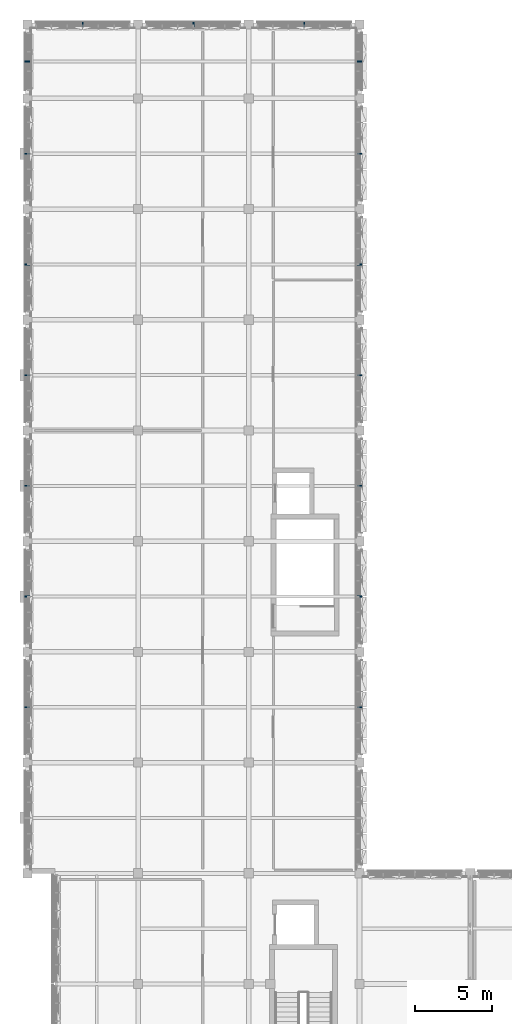
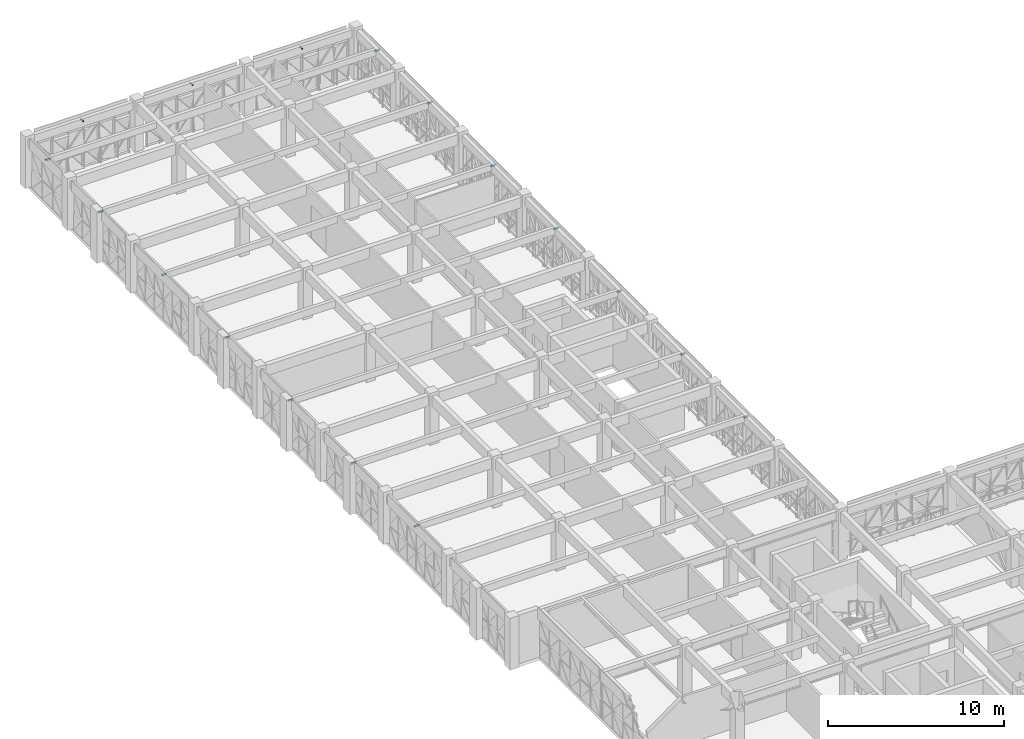
# One storey, part 59 of 74: 17 discrete accessories.
"""IFC4 building model written with IfcOpenShell, lengths in metres."""

import ifcopenshell
import ifcopenshell.guid

model = None  # the IFC model being written
_history = None  # IfcOwnerHistory: only IFC2X3 demands one
_inside = {}  # id of a spatial element -> (the spatial element, [elements in it])
_under = {}  # id of a project, library or spatial element -> (it, [spatial elements below it])
_declared = {}  # id of a project -> (the project, [libraries it declares])
_typed = {}  # id of a type object -> (the type object, [elements of that type])
_made_of = {}  # id of a material, layer set ... -> (it, [elements and type objects made of it])


def new_model(schema):
    """Start an empty IFC model of exactly this schema.

    Asked for "IFC4X3", IfcOpenShell would pick the latest addendum, in which some entities
    have other attributes; the version numbers below select the first issue.
    IFC2X3 requires an IfcOwnerHistory on every rooted entity: one is made here for all.
    """
    global model, _history
    if schema == "IFC4X3":
        model = ifcopenshell.file(schema_version=(4, 3, 0, 0))
    else:
        model = ifcopenshell.file(schema=schema)
    _inside.clear()
    _under.clear()
    _declared.clear()
    _typed.clear()
    _made_of.clear()
    _history = None
    if model.schema == "IFC2X3":
        org = make("IfcOrganization", Name="unknown")
        user = make(
            "IfcPersonAndOrganization",
            ThePerson=make("IfcPerson", FamilyName="unknown"),
            TheOrganization=org,
        )
        app = make(
            "IfcApplication",
            ApplicationDeveloper=org,
            Version="unknown",
            ApplicationFullName="unknown",
            ApplicationIdentifier="unknown",
        )
        _history = make(
            "IfcOwnerHistory",
            OwningUser=user,
            OwningApplication=app,
            ChangeAction="ADDED",
            CreationDate=0,
        )
    return model


def make(cls, **values):
    """One entity of the class cls with the attributes given. An attribute that is None is left unset."""
    return model.create_entity(
        cls, **{name: value for name, value in values.items() if value is not None}
    )


def rooted(cls, **values):
    """An entity with a GlobalId (a new one), such as an element, a storey or a relation."""
    return make(cls, GlobalId=ifcopenshell.guid.new(), OwnerHistory=_history, **values)


def si_unit(unit_type, name, prefix=None):
    """IfcSIUnit, for example si_unit("LENGTHUNIT", "METRE", prefix="MILLI")."""
    return make("IfcSIUnit", UnitType=unit_type, Prefix=prefix, Name=name)


def assignment(units):
    """IfcUnitAssignment: the units of a project."""
    return None if units is None else make("IfcUnitAssignment", Units=units)


def point(xyz):
    """IfcCartesianPoint."""
    return None if xyz is None else make("IfcCartesianPoint", Coordinates=xyz)


def direction(xyz):
    """IfcDirection."""
    return None if xyz is None else make("IfcDirection", DirectionRatios=xyz)


def frame(location, z_axis=None, x_axis=None):
    """IfcAxis2Placement3D, a coordinate frame: its origin and axes. An axis left out is left unset."""
    return make(
        "IfcAxis2Placement3D",
        Location=point(location),
        Axis=direction(z_axis),
        RefDirection=direction(x_axis),
    )


def frame_2d(location, x_axis=None):
    """IfcAxis2Placement2D, a coordinate frame in the plane: its origin and x axis."""
    return make(
        "IfcAxis2Placement2D", Location=point(location), RefDirection=direction(x_axis)
    )


def origin():
    """The frame at (0, 0, 0) with its axes left unset."""
    return frame((0.0, 0.0, 0.0))


def origin_2d():
    """The frame at (0, 0) in the plane with its x axis left unset."""
    return frame_2d((0.0, 0.0))


def place(relative_to, where):
    """IfcLocalPlacement: puts the frame where relative to a parent placement (None: the world)."""
    return make(
        "IfcLocalPlacement", PlacementRelTo=relative_to, RelativePlacement=where
    )


def context(
    kind, dimensions, precision=None, world=None, true_north=None, identifier=None
):
    """IfcGeometricRepresentationContext, for example the 3D "Model" context."""
    return make(
        "IfcGeometricRepresentationContext",
        ContextIdentifier=identifier,
        ContextType=kind,
        CoordinateSpaceDimension=dimensions,
        Precision=precision,
        WorldCoordinateSystem=world,
        TrueNorth=true_north,
    )


def subcontext(parent, identifier, kind, view, scale=None):
    """IfcGeometricRepresentationSubContext, for example "Body" below "Model"."""
    return make(
        "IfcGeometricRepresentationSubContext",
        ContextIdentifier=identifier,
        ContextType=kind,
        ParentContext=parent,
        TargetScale=scale,
        TargetView=view,
    )


def project(units=None, contexts=None):
    """IfcProject with its units and contexts."""
    return rooted(
        "IfcProject",
        Name="project",
        RepresentationContexts=contexts,
        UnitsInContext=assignment(units),
    )


def spatial(cls, under=None, at=None, **own):
    """A site, building, storey or space (cls), placed at a placement, below another one or the project."""
    s = rooted(cls, ObjectPlacement=at, **own)
    if under is not None:
        _under.setdefault(under.id(), (under, []))[1].append(s)
    return s


def profile(cls, at=None, kind="AREA", **sizes):
    """A parametric profile (cls). Its sizes go by their IFC names, for example OverallWidth=200.0."""
    return make(cls, ProfileType=kind, Position=at, **sizes)


def rectangle(**sizes):
    """IfcRectangleProfileDef."""
    return profile("IfcRectangleProfileDef", **sizes)


def extrude(swept, where, along, depth):
    """IfcExtrudedAreaSolid: the profile swept, set in the frame where, extruded along a direction by depth."""
    return make(
        "IfcExtrudedAreaSolid",
        SweptArea=swept,
        Position=where,
        ExtrudedDirection=direction(along),
        Depth=depth,
    )


def shape(context_of_items, identifier, shape_type, items):
    """IfcShapeRepresentation: the items that make up one representation, for example the "Body"."""
    return make(
        "IfcShapeRepresentation",
        ContextOfItems=context_of_items,
        RepresentationIdentifier=identifier,
        RepresentationType=shape_type,
        Items=items,
    )


def material(Name=None, Category=None):
    """IfcMaterial."""
    return make("IfcMaterial", Name=Name, Category=Category)


def made_of(thing, what):
    """Note that an element or type object is made of a material, layer set ...; save() writes the relation."""
    if what is not None:
        _made_of.setdefault(what.id(), (what, []))[1].append(thing)
    return thing


def type_object(cls, material=None, **own):
    """A type object (cls), such as IfcWallType, which elements share."""
    return made_of(rooted(cls, **own), material)


def element(
    cls,
    number,
    at=None,
    inside=None,
    cuts=None,
    type_object=None,
    material=None,
    context=None,
    identifier="Body",
    shape_type=None,
    held_by="IfcProductDefinitionShape",
    body=None,
    shapes=None,
    **own,
):
    """One element of the class cls, such as IfcWall. Its Tag is "e" and its number.

    at: its placement. inside: the storey or other place that contains it. cuts: it is an
    opening in that element (IfcRelVoidsElement). A single representation is given by context,
    identifier, shape_type and body (its items); several are given by shapes. held_by: the class
    of the entity that holds the representations. save() writes the other relations.
    """
    e = rooted(cls, Tag="e%d" % number, ObjectPlacement=at, **own)
    if body is not None:
        shapes = [shape(context, identifier, shape_type, body)]
    if shapes is not None:
        e.Representation = make(held_by, Representations=shapes)
    if inside is not None:
        _inside.setdefault(inside.id(), (inside, []))[1].append(e)
    if cuts is not None:
        rooted(
            "IfcRelVoidsElement", RelatingBuildingElement=cuts, RelatedOpeningElement=e
        )
    if type_object is not None:
        _typed.setdefault(type_object.id(), (type_object, []))[1].append(e)
    return made_of(e, material)


def aggregate(whole, parts):
    """IfcRelAggregates: a whole, such as a stair, and the parts it consists of."""
    return rooted("IfcRelAggregates", RelatingObject=whole, RelatedObjects=parts)


def save(model, path):
    """Write the relations noted so far, then the file.

    IfcRelAggregates (storeys below a building ...), IfcRelContainedInSpatialStructure (elements
    in a storey), IfcRelDefinesByType, IfcRelAssociatesMaterial and IfcRelDeclares: one each for
    every whole, place, type object, material and project.
    """
    for whole, parts in _under.values():
        aggregate(whole, parts)
    for where, things in _inside.values():
        rooted(
            "IfcRelContainedInSpatialStructure",
            RelatedElements=things,
            RelatingStructure=where,
        )
    for kind, things in _typed.values():
        rooted("IfcRelDefinesByType", RelatedObjects=things, RelatingType=kind)
    for what, things in _made_of.values():
        rooted("IfcRelAssociatesMaterial", RelatedObjects=things, RelatingMaterial=what)
    for by, libraries in _declared.values():
        rooted("IfcRelDeclares", RelatingContext=by, RelatedDefinitions=libraries)
    model.write(path)


model = new_model("IFC4")

# Units and contexts
model_context = context("Model", 3, precision=1e-05, world=origin(), true_north=direction((0.0, 1.0)))
body_context = subcontext(model_context, "Body", "Model", "MODEL_VIEW")
ifc_project = project(units=[si_unit("LENGTHUNIT", "METRE"), si_unit("AREAUNIT", "SQUARE_METRE"), si_unit("VOLUMEUNIT", "CUBIC_METRE"), si_unit("PLANEANGLEUNIT", "RADIAN"), si_unit("MASSUNIT", "GRAM", prefix="KILO")], contexts=[model_context])

# Site, building, storey
site_placement = place(None, origin())
site = spatial("IfcSite", under=ifc_project, at=site_placement, CompositionType="ELEMENT")
building_placement = place(site_placement, origin())
building = spatial("IfcBuilding", under=site, at=building_placement, Name="Alvorim Cloister Faculty of Sciences", CompositionType="ELEMENT")
storey_placement = place(building_placement, frame((0.0, 0.0, 15.75)))
storey = spatial("IfcBuildingStorey", under=building, at=storey_placement, Name="L04", CompositionType="ELEMENT", Elevation=15.75)

# Discrete accessories
ifc_material = material(Name="Aluminium Alloy 6063-T6", Category="aluminium")
discrete_accessory_type = type_object("IfcDiscreteAccessoryType", Name="ACC-DIAG-BAR", PredefinedType="BRACKET", material=ifc_material)
for number, where, z_axis, x_axis, name in (
    (1, (0.139892578125, 67.199951171875, 3.22509765625), (-1.0, 0.0, 0.0), (0.0, -1.0, 0.0), "Slab-Edge Fascia Tie Bracket ACC-01841"),
    (2, (0.139892578125, 74.39990234375, 3.22509765625), (-1.0, 0.0, 0.0), (0.0, -1.0, 0.0), "Slab-Edge Fascia Tie Bracket ACC-01854"),
    (3, (0.139892578125, 81.60009765625, 3.22509765625), (-1.0, 0.0, 0.0), (0.0, -1.0, 0.0), "Slab-Edge Fascia Tie Bracket ACC-01867"),
    (4, (0.139892578125, 88.800048828125, 3.22509765625), (-1.0, 0.0, 0.0), (0.0, -1.0, 0.0), "Slab-Edge Fascia Tie Bracket ACC-01880"),
    (5, (0.139892578125, 96.0, 3.22509765625), (-1.0, 0.0, 0.0), (0.0, -1.0, 0.0), "Slab-Edge Fascia Tie Bracket ACC-01893"),
    (6, (0.139892578125, 103.199951171875, 3.22509765625), (-1.0, 0.0, 0.0), (0.0, -1.0, 0.0), "Slab-Edge Fascia Tie Bracket ACC-01906"),
    (7, (0.139892578125, 109.199951171875, 3.22509765625), (-1.0, 0.0, 0.0), (0.0, -1.0, 0.0), "Slab-Edge Fascia Tie Bracket ACC-01913"),
):
    element("IfcDiscreteAccessory", number, at=place(storey_placement, frame(where, z_axis=z_axis, x_axis=x_axis)), inside=storey, type_object=discrete_accessory_type, Name=name, PredefinedType="BRACKET", context=body_context, shape_type="SweptSolid", body=[
        extrude(rectangle(XDim=0.080078125, YDim=0.080078125, at=origin_2d()), origin(), (0.0, 0.0, 1.0), 0.2998046875),
    ])
for number, where, z_axis, x_axis, name in (
    (8, (3.60009765625, 111.4599609375, 3.22509765625), (0.0, 1.0, 0.0), (-1.0, 0.0, 0.0), "Slab-Edge Fascia Tie Bracket ACC-01926"),
    (9, (10.800048828125, 111.4599609375, 3.22509765625), (0.0, 1.0, 0.0), (-1.0, 0.0, 0.0), "Slab-Edge Fascia Tie Bracket ACC-01939"),
    (10, (18.0, 111.4599609375, 3.22509765625), (0.0, 1.0, 0.0), (-1.0, 0.0, 0.0), "Slab-Edge Fascia Tie Bracket ACC-01952"),
    (11, (21.4599609375, 109.199951171875, 3.22509765625), (1.0, 0.0, 0.0), (0.0, 1.0, 0.0), "Slab-Edge Fascia Tie Bracket ACC-01959"),
    (12, (21.4599609375, 103.199951171875, 3.22509765625), (1.0, 0.0, 0.0), (0.0, 1.0, 0.0), "Slab-Edge Fascia Tie Bracket ACC-01972"),
    (13, (21.4599609375, 96.0, 3.22509765625), (1.0, 0.0, 0.0), (0.0, 1.0, 0.0), "Slab-Edge Fascia Tie Bracket ACC-01985"),
    (14, (21.4599609375, 88.800048828125, 3.22509765625), (1.0, 0.0, 0.0), (0.0, 1.0, 0.0), "Slab-Edge Fascia Tie Bracket ACC-01998"),
    (15, (21.4599609375, 81.60009765625, 3.22509765625), (1.0, 0.0, 0.0), (0.0, 1.0, 0.0), "Slab-Edge Fascia Tie Bracket ACC-02011"),
    (16, (21.4599609375, 74.39990234375, 3.22509765625), (1.0, 0.0, 0.0), (0.0, 1.0, 0.0), "Slab-Edge Fascia Tie Bracket ACC-02024"),
    (17, (21.4599609375, 67.199951171875, 3.22509765625), (1.0, 0.0, 0.0), (0.0, 1.0, 0.0), "Slab-Edge Fascia Tie Bracket ACC-02037"),
):
    element("IfcDiscreteAccessory", number, at=place(storey_placement, frame(where, z_axis=z_axis, x_axis=x_axis)), inside=storey, type_object=discrete_accessory_type, Name=name, PredefinedType="BRACKET", context=body_context, shape_type="SweptSolid", body=[
        extrude(rectangle(XDim=0.080078125, YDim=0.080078125, at=origin_2d()), origin(), (0.0, 0.0, 1.0), 0.300048828125),
    ])

save(model, "model.ifc")
